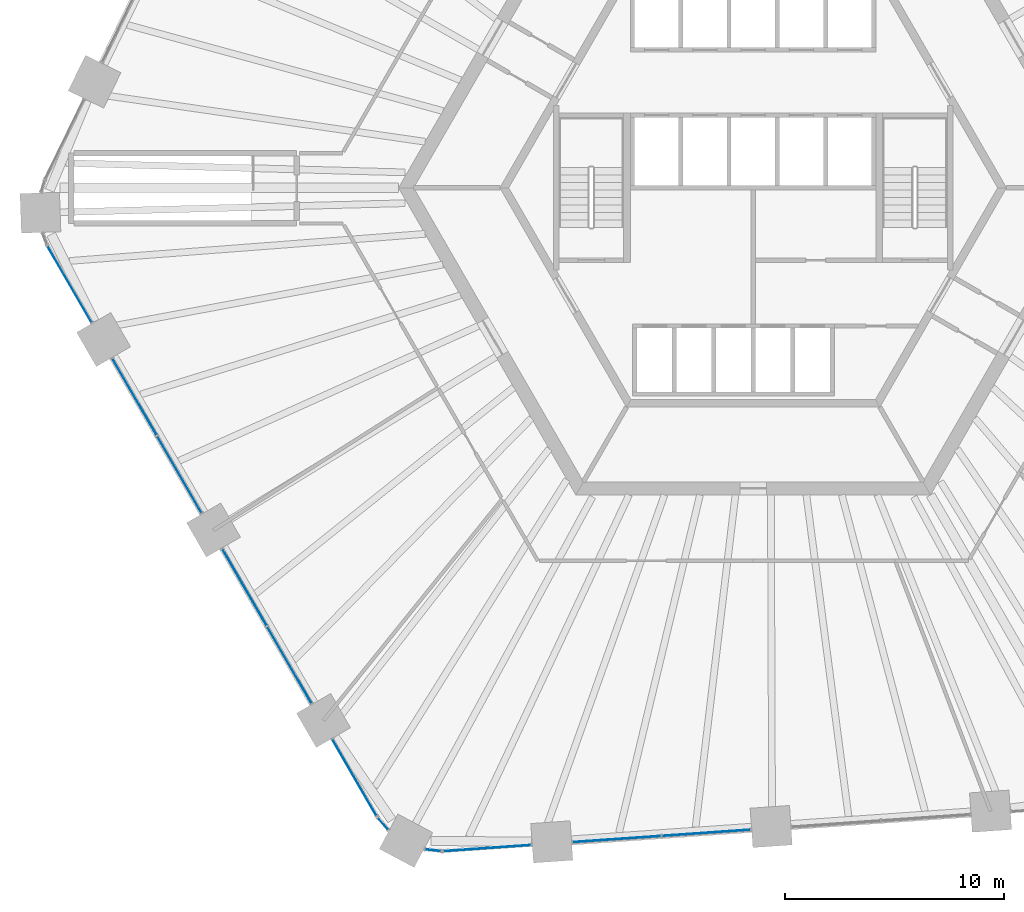
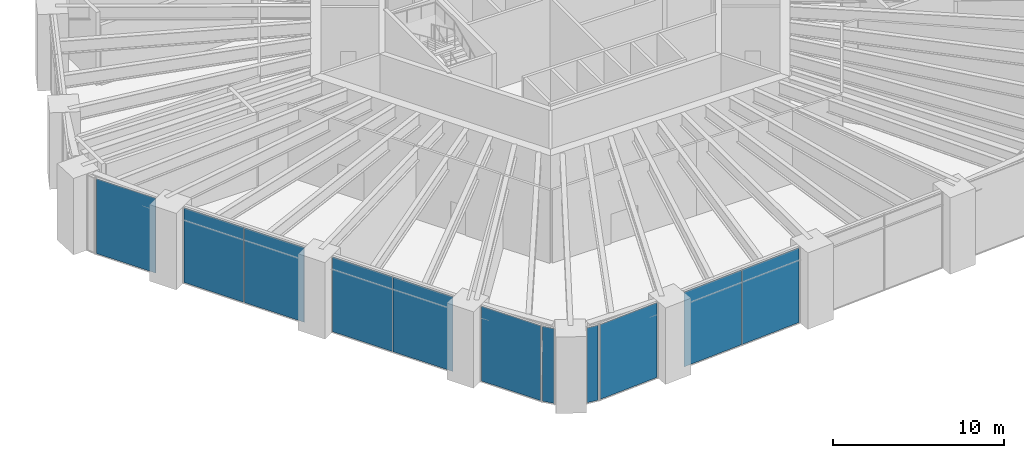
# One storey, part 13 of 25: 11 plates, 8 elements without a shape of their own.
"""IFC4 building model written with IfcOpenShell, lengths in metres."""

from ifc_helpers import new_model, si_unit, direction, frame, origin, origin_2d, place, context, subcontext, project, spatial, rectangle, extrude, material, layer, layer_set, type_object, element, aggregate, save


model = new_model("IFC4")

# Units and contexts
model_context = context("Model", 3, precision=1e-05, world=origin(), true_north=direction((0.0, 1.0)))
body_context = subcontext(model_context, "Body", "Model", "MODEL_VIEW")
ifc_project = project(units=[si_unit("LENGTHUNIT", "METRE"), si_unit("AREAUNIT", "SQUARE_METRE"), si_unit("VOLUMEUNIT", "CUBIC_METRE"), si_unit("PLANEANGLEUNIT", "RADIAN"), si_unit("MASSUNIT", "GRAM", prefix="KILO")], contexts=[model_context])

# Site, building, storey
site_placement = place(None, origin())
site = spatial("IfcSite", under=ifc_project, at=site_placement, CompositionType="ELEMENT")
building_placement = place(site_placement, origin())
building = spatial("IfcBuilding", under=site, at=building_placement, Name="Tarnside Tower", CompositionType="ELEMENT")
storey_placement = place(building_placement, frame((0.0, 0.0, 26.0)))
storey = spatial("IfcBuildingStorey", under=building, at=storey_placement, Name="L04", CompositionType="ELEMENT", Elevation=26.0)

# Curtain wall, plate
ifc_material_1 = material(Name="Retail shopfront glazing wall", Category="glass")
curtain_wall_type = type_object("IfcCurtainWallType", Name="Retail shopfront glazing wall", PredefinedType="NOTDEFINED", material=ifc_material_1)
curtain_wall_1_placement = place(storey_placement, origin())
curtain_wall_1 = element("IfcCurtainWall", 1, at=curtain_wall_1_placement, inside=storey, type_object=curtain_wall_type, Name="Retail shopfront glazing L04 07.1", PredefinedType="NOTDEFINED")
ifc_material_2 = material(Name="Low-iron safety glass", Category="glass")
ifc_layer = layer(ifc_material_2, 0.028076171875)
ifc_layer_set = layer_set([ifc_layer], Name="Retail shopfront glazing panel 28")
plate_type = type_object("IfcPlateType", Name="Retail shopfront glazing panel 28", PredefinedType="CURTAIN_PANEL", material=ifc_layer_set)
plate_1_placement = place(storey_placement, frame((-31.15478515625, -4.398193359375, -0.18994140625), z_axis=(0.0, 0.0, 1.0), x_axis=(0.50000000003, -0.866025403767, 0.0)))
plate_1 = element("IfcPlate", 2, at=plate_1_placement, type_object=plate_type, Name="CW2 panel 1.1", PredefinedType="CURTAIN_PANEL", context=body_context, shape_type="SweptSolid", body=[
    extrude(rectangle(XDim=3.991943359375, YDim=0.028076171875, at=origin_2d()), origin(), (0.0, 0.0, 1.0), 5.330078125),
])
aggregate(curtain_wall_1, [plate_1])

# Curtain wall, plates
curtain_wall_2_placement = place(storey_placement, origin())
curtain_wall_2 = element("IfcCurtainWall", 3, at=curtain_wall_2_placement, inside=storey, type_object=curtain_wall_type, Name="Retail shopfront glazing L04 08.0", PredefinedType="NOTDEFINED")
plate_2_placement = place(storey_placement, frame((-28.19140625, -9.531005859375, -0.18994140625), z_axis=(0.0, 0.0, 1.0), x_axis=(0.49999999994, -0.866025403819, 0.0)))
plate_2 = element("IfcPlate", 4, at=plate_2_placement, type_object=plate_type, Name="CW2 panel 1.1", PredefinedType="CURTAIN_PANEL", context=body_context, shape_type="SweptSolid", body=[
    extrude(rectangle(XDim=4.021728515625, YDim=0.028076171875, at=origin_2d()), origin(), (0.0, 0.0, 1.0), 5.330078125),
])
plate_3_placement = place(storey_placement, frame((-26.150634765625, -13.06591796875, -0.18994140625), z_axis=(0.0, 0.0, 1.0), x_axis=(0.49999999994, -0.866025403819, 0.0)))
plate_3 = element("IfcPlate", 5, at=plate_3_placement, type_object=plate_type, Name="CW2 panel 2.1", PredefinedType="CURTAIN_PANEL", context=body_context, shape_type="SweptSolid", body=[
    extrude(rectangle(XDim=4.021728515625, YDim=0.028076171875, at=origin_2d()), origin(), (0.0, 0.0, 1.0), 5.330078125),
])
aggregate(curtain_wall_2, [plate_2, plate_3])

curtain_wall_3_placement = place(storey_placement, origin())
curtain_wall_3 = element("IfcCurtainWall", 6, at=curtain_wall_3_placement, inside=storey, type_object=curtain_wall_type, Name="Retail shopfront glazing L04 09.0", PredefinedType="NOTDEFINED")
plate_4_placement = place(storey_placement, frame((-23.1796875, -18.211669921875, -0.18994140625), z_axis=(0.0, 0.0, 1.0), x_axis=(0.500000000076, -0.866025403741, 0.0)))
plate_4 = element("IfcPlate", 7, at=plate_4_placement, type_object=plate_type, Name="CW2 panel 1.1", PredefinedType="CURTAIN_PANEL", context=body_context, shape_type="SweptSolid", body=[
    extrude(rectangle(XDim=4.021728515625, YDim=0.028076171875, at=origin_2d()), origin(), (0.0, 0.0, 1.0), 5.330078125),
])
plate_5_placement = place(storey_placement, frame((-21.138671875, -21.74658203125, -0.18994140625), z_axis=(0.0, 0.0, 1.0), x_axis=(0.500000000076, -0.866025403741, 0.0)))
plate_5 = element("IfcPlate", 8, at=plate_5_placement, type_object=plate_type, Name="CW2 panel 2.1", PredefinedType="CURTAIN_PANEL", context=body_context, shape_type="SweptSolid", body=[
    extrude(rectangle(XDim=4.021728515625, YDim=0.028076171875, at=origin_2d()), origin(), (0.0, 0.0, 1.0), 5.330078125),
])
aggregate(curtain_wall_3, [plate_4, plate_5])

# Curtain wall, plate
curtain_wall_4_placement = place(storey_placement, origin())
curtain_wall_4 = element("IfcCurtainWall", 9, at=curtain_wall_4_placement, inside=storey, type_object=curtain_wall_type, Name="Retail shopfront glazing L04 10.0", PredefinedType="NOTDEFINED")
plate_6_placement = place(storey_placement, frame((-18.17529296875, -26.87939453125, -0.18994140625), z_axis=(0.0, 0.0, 1.0), x_axis=(0.499999999849, -0.866025403872, 0.0)))
plate_6 = element("IfcPlate", 10, at=plate_6_placement, type_object=plate_type, Name="CW2 panel 1.1", PredefinedType="CURTAIN_PANEL", context=body_context, shape_type="SweptSolid", body=[
    extrude(rectangle(XDim=3.991943359375, YDim=0.028076171875, at=origin_2d()), origin(), (0.0, 0.0, 1.0), 5.330078125),
])
aggregate(curtain_wall_4, [plate_6])

curtain_wall_5_placement = place(storey_placement, origin())
curtain_wall_5 = element("IfcCurtainWall", 11, at=curtain_wall_5_placement, inside=storey, type_object=curtain_wall_type, Name="Retail shopfront glazing L04 10.1", PredefinedType="NOTDEFINED")
plate_7_placement = place(storey_placement, frame((-16.87109375, -28.983642578125, -0.18994140625), z_axis=(0.0, 0.0, 1.0), x_axis=(0.651657228826, -0.758513583345, 0.0)))
plate_7 = element("IfcPlate", 12, at=plate_7_placement, type_object=plate_type, Name="CW2 panel 1.1", PredefinedType="CURTAIN_PANEL", context=body_context, shape_type="SweptSolid", body=[
    extrude(rectangle(XDim=0.701416015625, YDim=0.028076171875, at=origin_2d()), origin(), (0.0, 0.0, 1.0), 5.330078125),
])
aggregate(curtain_wall_5, [plate_7])

curtain_wall_6_placement = place(storey_placement, origin())
curtain_wall_6 = element("IfcCurtainWall", 13, at=curtain_wall_6_placement, inside=storey, type_object=curtain_wall_type, Name="Retail shopfront glazing L04 11.0", PredefinedType="NOTDEFINED")
plate_8_placement = place(storey_placement, frame((-14.59423828125, -30.194091796875, -0.18994140625), z_axis=(0.0, 0.0, 1.0), x_axis=(0.993238357751, -0.116092914044, 0.0)))
plate_8 = element("IfcPlate", 14, at=plate_8_placement, type_object=plate_type, Name="CW2 panel 1.1", PredefinedType="CURTAIN_PANEL", context=body_context, shape_type="SweptSolid", body=[
    extrude(rectangle(XDim=0.701416015625, YDim=0.028076171875, at=origin_2d()), origin(), (0.0, 0.0, 1.0), 5.330078125),
])
aggregate(curtain_wall_6, [plate_8])

curtain_wall_7_placement = place(storey_placement, origin())
curtain_wall_7 = element("IfcCurtainWall", 15, at=curtain_wall_7_placement, inside=storey, type_object=curtain_wall_type, Name="Retail shopfront glazing L04 11.1", PredefinedType="NOTDEFINED")
plate_9_placement = place(storey_placement, frame((-12.12060546875, -30.098876953125, -0.18994140625), z_axis=(0.0, 0.0, 1.0), x_axis=(0.997564050248, 0.069756473918, 0.0)))
plate_9 = element("IfcPlate", 16, at=plate_9_placement, type_object=plate_type, Name="CW2 panel 1.1", PredefinedType="CURTAIN_PANEL", context=body_context, shape_type="SweptSolid", body=[
    extrude(rectangle(XDim=3.991943359375, YDim=0.028076171875, at=origin_2d()), origin(), (0.0, 0.0, 1.0), 5.330078125),
])
aggregate(curtain_wall_7, [plate_9])

# Curtain wall, plates
curtain_wall_8_placement = place(storey_placement, origin())
curtain_wall_8 = element("IfcCurtainWall", 17, at=curtain_wall_8_placement, inside=storey, type_object=curtain_wall_type, Name="Retail shopfront glazing L04 12.0", PredefinedType="NOTDEFINED")
plate_10_placement = place(storey_placement, frame((-6.208251953125, -29.685302734375, -0.18994140625), z_axis=(0.0, 0.0, 1.0), x_axis=(0.997564050257, 0.069756473779, 0.0)))
plate_10 = element("IfcPlate", 18, at=plate_10_placement, type_object=plate_type, Name="CW2 panel 1.1", PredefinedType="CURTAIN_PANEL", context=body_context, shape_type="SweptSolid", body=[
    extrude(rectangle(XDim=4.021728515625, YDim=0.028076171875, at=origin_2d()), origin(), (0.0, 0.0, 1.0), 5.330078125),
])
plate_11_placement = place(storey_placement, frame((-2.13623046875, -29.400634765625, -0.18994140625), z_axis=(0.0, 0.0, 1.0), x_axis=(0.997564050257, 0.069756473779, 0.0)))
plate_11 = element("IfcPlate", 19, at=plate_11_placement, type_object=plate_type, Name="CW2 panel 2.1", PredefinedType="CURTAIN_PANEL", context=body_context, shape_type="SweptSolid", body=[
    extrude(rectangle(XDim=4.021728515625, YDim=0.028076171875, at=origin_2d()), origin(), (0.0, 0.0, 1.0), 5.330078125),
])
aggregate(curtain_wall_8, [plate_10, plate_11])

save(model, "model.ifc")
